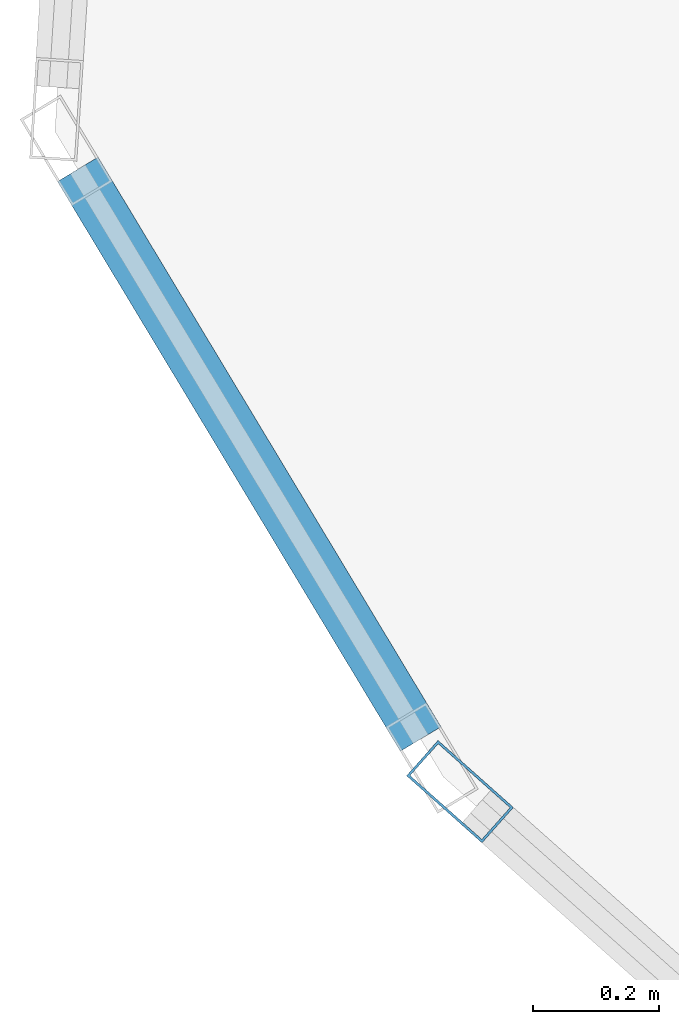
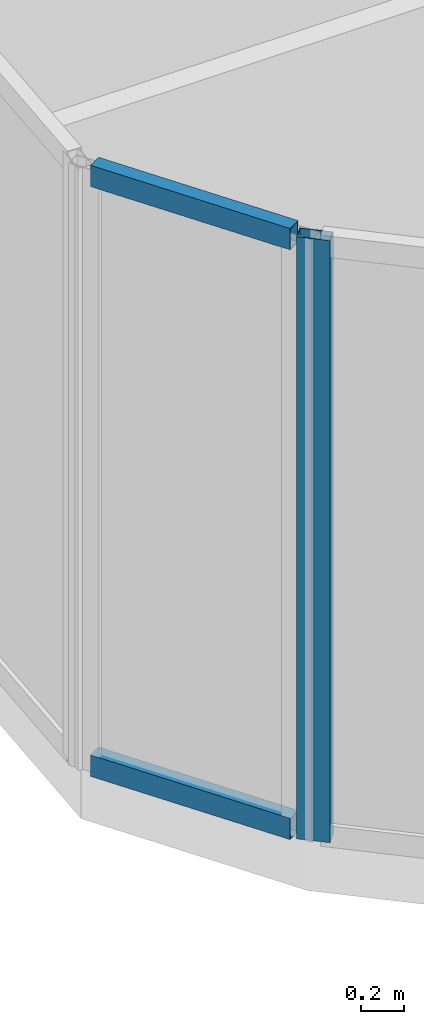
# One storey, part 4 of 28: 3 members, 2 elements without a shape of their own.
"""IFC4 building model written with IfcOpenShell, lengths in metres."""

from ifc_helpers import new_model, si_unit, direction, frame, origin, origin_2d, place, context, subcontext, project, spatial, hollow_rectangle, extrude, material, layer, layer_set, material_profile, profile_set, type_object, element, aggregate, save


model = new_model("IFC4")

# Units and contexts
model_context = context("Model", 3, precision=1e-05, world=origin(), true_north=direction((0.0, 1.0)))
body_context = subcontext(model_context, "Body", "Model", "MODEL_VIEW")
ifc_project = project(units=[si_unit("LENGTHUNIT", "METRE"), si_unit("AREAUNIT", "SQUARE_METRE"), si_unit("VOLUMEUNIT", "CUBIC_METRE"), si_unit("PLANEANGLEUNIT", "RADIAN"), si_unit("MASSUNIT", "GRAM", prefix="KILO")], contexts=[model_context])

# Site, building, storey
site_placement = place(None, origin())
site = spatial("IfcSite", under=ifc_project, at=site_placement, CompositionType="ELEMENT")
building_placement = place(site_placement, origin())
building = spatial("IfcBuilding", under=site, at=building_placement, Name="Keshet Zoharim Tower", CompositionType="ELEMENT")
storey_placement = place(building_placement, frame((0.0, 0.0, 251.0)))
storey = spatial("IfcBuildingStorey", under=building, at=storey_placement, Name="L62", CompositionType="ELEMENT", Elevation=251.0)

# Curtain wall, member
ifc_material = material(Name="Aluminium 6063-T6", Category="aluminium")
ifc_layer = layer(ifc_material, 0.260009765625)
ifc_layer_set = layer_set([ifc_layer], Name="Aluminium 6063-T6")
curtain_wall_type = type_object("IfcCurtainWallType", Name="CW-SYS-06", PredefinedType="NOTDEFINED", material=ifc_layer_set)
curtain_wall_1_placement = place(storey_placement, origin())
curtain_wall_1 = element("IfcCurtainWall", 1, at=curtain_wall_1_placement, inside=storey, type_object=curtain_wall_type, Name="L62 Unitised Curtain Wall 16 Part 3", PredefinedType="NOTDEFINED")
ifc_material_profile_1 = material_profile(ifc_material, hollow_rectangle(XDim=0.074951171875, YDim=0.159912109375, WallThickness=0.00390625, at=origin_2d()), Name="MUL-75x160")
ifc_profile_set_1 = profile_set([ifc_material_profile_1], Name="Aluminium 6063-T6")
member_type_1 = type_object("IfcMemberType", Name="CWM-M15", PredefinedType="MULLION", material=ifc_profile_set_1)
member_1_placement = place(storey_placement, frame((4.061279296875, 21.7568359375, 0.0), z_axis=(0.0, 0.0, 1.0), x_axis=(-0.664363838836, -0.747409318679, 0.0)))
member_1 = element("IfcMember", 2, at=member_1_placement, type_object=member_type_1, Name="CW-06 mullion 2", PredefinedType="MULLION", context=body_context, shape_type="SweptSolid", body=[
    extrude(hollow_rectangle(XDim=0.074951171875, YDim=0.159912109375, WallThickness=0.00390625, at=origin_2d()), origin(), (0.0, 0.0, 1.0), 3.389892578125),
])
aggregate(curtain_wall_1, [member_1])

# Curtain wall, members
curtain_wall_2_placement = place(storey_placement, origin())
curtain_wall_2 = element("IfcCurtainWall", 3, at=curtain_wall_2_placement, inside=storey, type_object=curtain_wall_type, Name="L62 Unitised Curtain Wall 01", PredefinedType="NOTDEFINED")
ifc_material_profile_2 = material_profile(ifc_material, hollow_rectangle(XDim=0.074951171875, YDim=0.1201171875, WallThickness=0.00390625, at=origin_2d()), Name="TRN-75x120")
ifc_profile_set_2 = profile_set([ifc_material_profile_2], Name="Aluminium 6063-T6")
member_type_2 = type_object("IfcMemberType", Name="CWT-T12", PredefinedType="USERDEFINED", material=ifc_profile_set_2)
member_2_placement = place(storey_placement, frame((3.9990234375, 21.840087890625, 0.034912109375), z_axis=(-0.515791194107, 0.856714330499, 0.0), x_axis=(-0.856714330499, -0.515791194107, 0.0)))
member_2 = element("IfcMember", 4, at=member_2_placement, type_object=member_type_2, Name="CW-06 transom 1.1", ObjectType="TRANSOM", PredefinedType="USERDEFINED", context=body_context, shape_type="SweptSolid", body=[
    extrude(hollow_rectangle(XDim=0.074951171875, YDim=0.1201171875, WallThickness=0.00390625, at=origin_2d()), origin(), (0.0, 0.0, 1.0), 1.052734375),
])
member_3_placement = place(storey_placement, frame((3.9990234375, 21.840087890625, 3.35498046875), z_axis=(-0.515791194107, 0.856714330499, 0.0), x_axis=(-0.856714330499, -0.515791194107, 0.0)))
member_3 = element("IfcMember", 5, at=member_3_placement, type_object=member_type_2, Name="CW-06 transom 1.2", ObjectType="TRANSOM", PredefinedType="USERDEFINED", context=body_context, shape_type="SweptSolid", body=[
    extrude(hollow_rectangle(XDim=0.074951171875, YDim=0.1201171875, WallThickness=0.00390625, at=origin_2d()), origin(), (0.0, 0.0, 1.0), 1.052734375),
])
aggregate(curtain_wall_2, [member_2, member_3])

save(model, "model.ifc")
